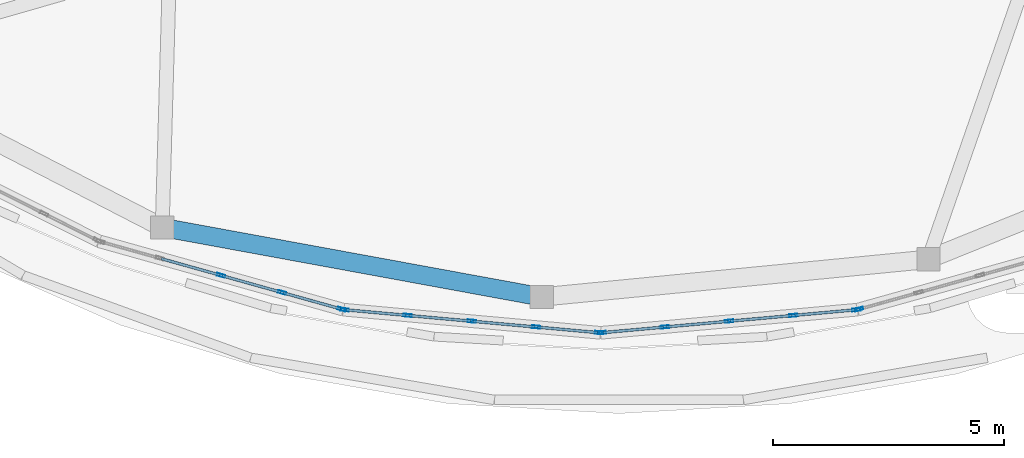
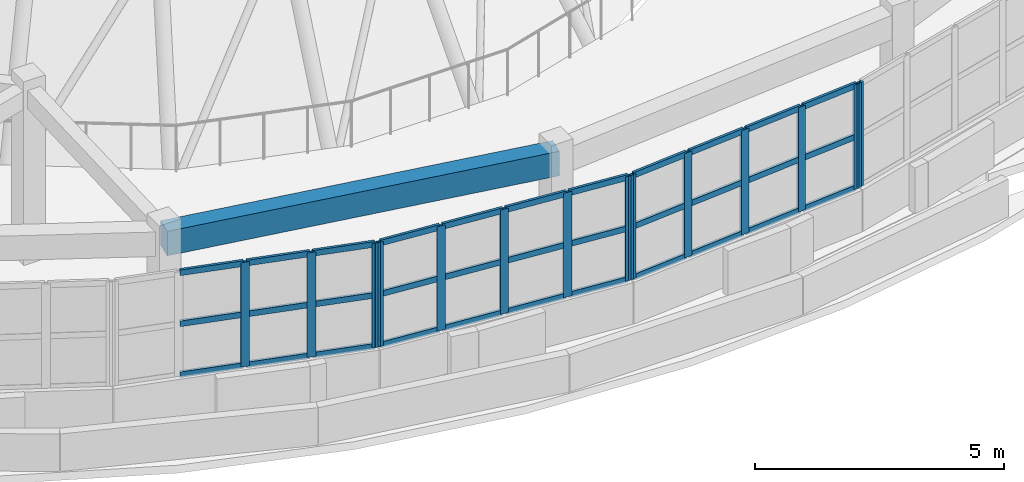
# One storey, part 5 of 38: 47 members, 1 beam, 4 elements without a shape of their own.
"""IFC4 building model written with IfcOpenShell, lengths in metres."""

from ifc_helpers import new_model, si_unit, direction, frame, origin, origin_2d, place, context, subcontext, project, spatial, rectangle, hollow_rectangle, extrude, material, layer, layer_set, material_profile, profile_set, type_object, element, aggregate, save


model = new_model("IFC4")

# Units and contexts
model_context = context("Model", 3, precision=1e-05, world=origin(), true_north=direction((0.0, 1.0)))
body_context = subcontext(model_context, "Body", "Model", "MODEL_VIEW")
ifc_project = project(units=[si_unit("LENGTHUNIT", "METRE"), si_unit("AREAUNIT", "SQUARE_METRE"), si_unit("VOLUMEUNIT", "CUBIC_METRE"), si_unit("PLANEANGLEUNIT", "RADIAN"), si_unit("MASSUNIT", "GRAM", prefix="KILO")], contexts=[model_context])

# Site, building, storey
site_placement = place(None, origin())
site = spatial("IfcSite", under=ifc_project, at=site_placement, CompositionType="ELEMENT")
building_placement = place(site_placement, origin())
building = spatial("IfcBuilding", under=site, at=building_placement, Name="Pelvatis Terrace Science Centre", CompositionType="ELEMENT")
storey_placement = place(building_placement, frame((0.0, 0.0, 24.300048828125)))
storey = spatial("IfcBuildingStorey", under=building, at=storey_placement, Name="L05", CompositionType="ELEMENT", Elevation=24.300048828125)

# Beam
ifc_material_1 = material(Name="Concrete C35/45", Category="concrete")
ifc_material_profile_1 = material_profile(ifc_material_1, rectangle(XDim=0.39990234375, YDim=0.60009765625, at=origin_2d()), Name="RC-BM 400x600")
ifc_profile_set_1 = profile_set([ifc_material_profile_1], Name="Concrete C35/45")
beam_type = type_object("IfcBeamType", Name="BM-RC-400x600", PredefinedType="BEAM", material=ifc_profile_set_1)
beam_placement = place(storey_placement, frame((99.705078125, 67.434326171875, 3.9599609375), z_axis=(0.983601549943, -0.180355179991, 0.0), x_axis=(0.180355179991, 0.983601549943, 0.0)))
element("IfcBeam", 1, at=beam_placement, inside=storey, type_object=beam_type, Name="Beam BM-L05-3136", PredefinedType="BEAM", context=body_context, shape_type="SweptSolid", body=[
    extrude(rectangle(XDim=0.39990234375, YDim=0.60009765625, at=origin_2d()), origin(), (0.0, 0.0, 1.0), 8.3603515625),
])

# Curtain wall, members
ifc_material_2 = material(Name="Bronze-anodised aluminium and laminated glass", Category="aluminium")
ifc_layer = layer(ifc_material_2, 0.179931640625)
ifc_layer_set = layer_set([ifc_layer], Name="Bronze-anodised aluminium and laminated glass")
curtain_wall_type = type_object("IfcCurtainWallType", Name="CW-RIBBON-A", PredefinedType="NOTDEFINED", material=ifc_layer_set)
curtain_wall_1_placement = place(storey_placement, origin())
curtain_wall_1 = element("IfcCurtainWall", 2, at=curtain_wall_1_placement, inside=storey, type_object=curtain_wall_type, Name="Ribbon curtain wall CW-256 (L05)", PredefinedType="NOTDEFINED")
ifc_material_3 = material(Name="Bronze-anodised aluminium 6063-T6", Category="aluminium")
ifc_material_profile_2 = material_profile(ifc_material_3, hollow_rectangle(XDim=0.06005859375, YDim=0.179931640625, WallThickness=0.00390625, at=origin_2d()), Name="ALU-MUL 60x180")
ifc_profile_set_2 = profile_set([ifc_material_profile_2], Name="Bronze-anodised aluminium 6063-T6")
member_type_1 = type_object("IfcMemberType", Name="CWM-60x180", PredefinedType="MULLION", material=ifc_profile_set_2)
member_1_placement = place(storey_placement, frame((100.978515625, 66.39404296875, 1.02001953125), z_axis=(0.0, 0.0, 1.0), x_axis=(0.269694685663, 0.962945884526, 0.0)))
member_1 = element("IfcMember", 3, at=member_1_placement, type_object=member_type_1, Name="CW-256 mullion 3", PredefinedType="MULLION", context=body_context, shape_type="SweptSolid", body=[
    extrude(hollow_rectangle(XDim=0.06005859375, YDim=0.179931640625, WallThickness=0.00390625, at=origin_2d()), origin(), (0.0, 0.0, 1.0), 2.559814453125),
])
member_2_placement = place(storey_placement, frame((102.30224609375, 66.0234375, 1.02001953125), z_axis=(0.0, 0.0, 1.0), x_axis=(0.269694685663, 0.962945884526, 0.0)))
member_2 = element("IfcMember", 4, at=member_2_placement, type_object=member_type_1, Name="CW-256 mullion 4", PredefinedType="MULLION", context=body_context, shape_type="SweptSolid", body=[
    extrude(hollow_rectangle(XDim=0.06005859375, YDim=0.179931640625, WallThickness=0.00390625, at=origin_2d()), origin(), (0.0, 0.0, 1.0), 2.559814453125),
])
member_3_placement = place(storey_placement, frame((103.596923828125, 65.660888671875, 1.02001953125), z_axis=(0.0, 0.0, 1.0), x_axis=(0.269694685663, 0.962945884526, 0.0)))
member_3 = element("IfcMember", 5, at=member_3_placement, type_object=member_type_1, Name="CW-256 mullion 5", PredefinedType="MULLION", context=body_context, shape_type="SweptSolid", body=[
    extrude(hollow_rectangle(XDim=0.06005859375, YDim=0.179931640625, WallThickness=0.00390625, at=origin_2d()), origin(), (0.0, 0.0, 1.0), 2.559814453125),
])

curtain_wall_2_placement = place(storey_placement, origin())
curtain_wall_2 = element("IfcCurtainWall", 6, at=curtain_wall_2_placement, inside=storey, type_object=curtain_wall_type, Name="Ribbon curtain wall CW-257 (L05)", PredefinedType="NOTDEFINED")
member_4_placement = place(storey_placement, frame((103.65576171875, 65.64990234375, 1.02001953125), z_axis=(0.0, 0.0, 1.0), x_axis=(0.089820432814, 0.995957975945, 0.0)))
member_4 = element("IfcMember", 7, at=member_4_placement, type_object=member_type_1, Name="CW-257 mullion 1", PredefinedType="MULLION", context=body_context, shape_type="SweptSolid", body=[
    extrude(hollow_rectangle(XDim=0.06005859375, YDim=0.179931640625, WallThickness=0.00390625, at=origin_2d()), origin(), (0.0, 0.0, 1.0), 2.559814453125),
])
member_5_placement = place(storey_placement, frame((105.01953125, 65.527099609375, 1.02001953125), z_axis=(0.0, 0.0, 1.0), x_axis=(0.089820432814, 0.995957975945, 0.0)))
member_5 = element("IfcMember", 8, at=member_5_placement, type_object=member_type_1, Name="CW-257 mullion 2", PredefinedType="MULLION", context=body_context, shape_type="SweptSolid", body=[
    extrude(hollow_rectangle(XDim=0.06005859375, YDim=0.179931640625, WallThickness=0.00390625, at=origin_2d()), origin(), (0.0, 0.0, 1.0), 2.559814453125),
])
member_6_placement = place(storey_placement, frame((106.412841796875, 65.4013671875, 1.02001953125), z_axis=(0.0, 0.0, 1.0), x_axis=(0.089820432814, 0.995957975945, 0.0)))
member_6 = element("IfcMember", 9, at=member_6_placement, type_object=member_type_1, Name="CW-257 mullion 3", PredefinedType="MULLION", context=body_context, shape_type="SweptSolid", body=[
    extrude(hollow_rectangle(XDim=0.06005859375, YDim=0.179931640625, WallThickness=0.00390625, at=origin_2d()), origin(), (0.0, 0.0, 1.0), 2.559814453125),
])
member_7_placement = place(storey_placement, frame((107.806396484375, 65.275634765625, 1.02001953125), z_axis=(0.0, 0.0, 1.0), x_axis=(0.089820432814, 0.995957975945, 0.0)))
member_7 = element("IfcMember", 10, at=member_7_placement, type_object=member_type_1, Name="CW-257 mullion 4", PredefinedType="MULLION", context=body_context, shape_type="SweptSolid", body=[
    extrude(hollow_rectangle(XDim=0.06005859375, YDim=0.179931640625, WallThickness=0.00390625, at=origin_2d()), origin(), (0.0, 0.0, 1.0), 2.559814453125),
])
member_8_placement = place(storey_placement, frame((109.170166015625, 65.152587890625, 1.02001953125), z_axis=(0.0, 0.0, 1.0), x_axis=(0.089820432814, 0.995957975945, 0.0)))
member_8 = element("IfcMember", 11, at=member_8_placement, type_object=member_type_1, Name="CW-257 mullion 5", PredefinedType="MULLION", context=body_context, shape_type="SweptSolid", body=[
    extrude(hollow_rectangle(XDim=0.06005859375, YDim=0.179931640625, WallThickness=0.00390625, at=origin_2d()), origin(), (0.0, 0.0, 1.0), 2.559814453125),
])

curtain_wall_3_placement = place(storey_placement, origin())
curtain_wall_3 = element("IfcCurtainWall", 12, at=curtain_wall_3_placement, inside=storey, type_object=curtain_wall_type, Name="Ribbon curtain wall CW-258 (L05)", PredefinedType="NOTDEFINED")
member_9_placement = place(storey_placement, frame((109.22998046875, 65.152587890625, 1.02001953125), z_axis=(0.0, 0.0, 1.0), x_axis=(-0.089820432814, 0.995957975945, 0.0)))
member_9 = element("IfcMember", 13, at=member_9_placement, type_object=member_type_1, Name="CW-258 mullion 1", PredefinedType="MULLION", context=body_context, shape_type="SweptSolid", body=[
    extrude(hollow_rectangle(XDim=0.06005859375, YDim=0.179931640625, WallThickness=0.00390625, at=origin_2d()), origin(), (0.0, 0.0, 1.0), 2.559814453125),
])
member_10_placement = place(storey_placement, frame((110.593505859375, 65.275634765625, 1.02001953125), z_axis=(0.0, 0.0, 1.0), x_axis=(-0.089820432814, 0.995957975945, 0.0)))
member_10 = element("IfcMember", 14, at=member_10_placement, type_object=member_type_1, Name="CW-258 mullion 2", PredefinedType="MULLION", context=body_context, shape_type="SweptSolid", body=[
    extrude(hollow_rectangle(XDim=0.06005859375, YDim=0.179931640625, WallThickness=0.00390625, at=origin_2d()), origin(), (0.0, 0.0, 1.0), 2.559814453125),
])
member_11_placement = place(storey_placement, frame((111.987060546875, 65.4013671875, 1.02001953125), z_axis=(0.0, 0.0, 1.0), x_axis=(-0.089820432814, 0.995957975945, 0.0)))
member_11 = element("IfcMember", 15, at=member_11_placement, type_object=member_type_1, Name="CW-258 mullion 3", PredefinedType="MULLION", context=body_context, shape_type="SweptSolid", body=[
    extrude(hollow_rectangle(XDim=0.06005859375, YDim=0.179931640625, WallThickness=0.00390625, at=origin_2d()), origin(), (0.0, 0.0, 1.0), 2.559814453125),
])
member_12_placement = place(storey_placement, frame((113.380615234375, 65.527099609375, 1.02001953125), z_axis=(0.0, 0.0, 1.0), x_axis=(-0.089820432814, 0.995957975945, 0.0)))
member_12 = element("IfcMember", 16, at=member_12_placement, type_object=member_type_1, Name="CW-258 mullion 4", PredefinedType="MULLION", context=body_context, shape_type="SweptSolid", body=[
    extrude(hollow_rectangle(XDim=0.06005859375, YDim=0.179931640625, WallThickness=0.00390625, at=origin_2d()), origin(), (0.0, 0.0, 1.0), 2.559814453125),
])
member_13_placement = place(storey_placement, frame((114.744140625, 65.64990234375, 1.02001953125), z_axis=(0.0, 0.0, 1.0), x_axis=(-0.089820432814, 0.995957975945, 0.0)))
member_13 = element("IfcMember", 17, at=member_13_placement, type_object=member_type_1, Name="CW-258 mullion 5", PredefinedType="MULLION", context=body_context, shape_type="SweptSolid", body=[
    extrude(hollow_rectangle(XDim=0.06005859375, YDim=0.179931640625, WallThickness=0.00390625, at=origin_2d()), origin(), (0.0, 0.0, 1.0), 2.559814453125),
])

# Curtain wall, member
curtain_wall_4_placement = place(storey_placement, origin())
curtain_wall_4 = element("IfcCurtainWall", 18, at=curtain_wall_4_placement, inside=storey, type_object=curtain_wall_type, Name="Ribbon curtain wall CW-259 (L05)", PredefinedType="NOTDEFINED")
member_14_placement = place(storey_placement, frame((114.802978515625, 65.660888671875, 1.02001953125), z_axis=(0.0, 0.0, 1.0), x_axis=(-0.269694685663, 0.962945884526, 0.0)))
member_14 = element("IfcMember", 19, at=member_14_placement, type_object=member_type_1, Name="CW-259 mullion 1", PredefinedType="MULLION", context=body_context, shape_type="SweptSolid", body=[
    extrude(hollow_rectangle(XDim=0.06005859375, YDim=0.179931640625, WallThickness=0.00390625, at=origin_2d()), origin(), (0.0, 0.0, 1.0), 2.559814453125),
])
aggregate(curtain_wall_4, [member_14])

# Member
ifc_material_4 = material(Name="Bronze-anodised aluminium 6063-T6", Category="aluminium")
ifc_material_profile_3 = material_profile(ifc_material_4, hollow_rectangle(XDim=0.06005859375, YDim=0.139892578125, WallThickness=0.00390625, at=origin_2d()), Name="ALU-TRN 60x140")
ifc_profile_set_3 = profile_set([ifc_material_profile_3], Name="Bronze-anodised aluminium 6063-T6")
member_type_2 = type_object("IfcMemberType", Name="CWT-60x140", PredefinedType="USERDEFINED", material=ifc_profile_set_3)
member_15_placement = place(storey_placement, frame((99.683837890625, 66.7568359375, 1.050048828125), z_axis=(0.962954374923, -0.269664368831, 0.0), x_axis=(0.269664368831, 0.962954374923, 0.0)))
member_15 = element("IfcMember", 20, at=member_15_placement, type_object=member_type_2, Name="CW-256 transom 2.1", ObjectType="TRANSOM", PredefinedType="USERDEFINED", context=body_context, shape_type="SweptSolid", body=[
    extrude(hollow_rectangle(XDim=0.06005859375, YDim=0.139892578125, WallThickness=0.00390625, at=origin_2d()), origin(), (0.0, 0.0, 1.0), 1.314453125),
])

member_16_placement = place(storey_placement, frame((99.683837890625, 66.7568359375, 2.300048828125), z_axis=(0.962954374923, -0.269664368831, 0.0), x_axis=(0.269664368831, 0.962954374923, 0.0)))
member_16 = element("IfcMember", 21, at=member_16_placement, type_object=member_type_2, Name="CW-256 transom 2.2", ObjectType="TRANSOM", PredefinedType="USERDEFINED", context=body_context, shape_type="SweptSolid", body=[
    extrude(hollow_rectangle(XDim=0.06005859375, YDim=0.139892578125, WallThickness=0.00390625, at=origin_2d()), origin(), (0.0, 0.0, 1.0), 1.314453125),
])

member_17_placement = place(storey_placement, frame((99.683837890625, 66.7568359375, 3.550048828125), z_axis=(0.962954374923, -0.269664368831, 0.0), x_axis=(0.269664368831, 0.962954374923, 0.0)))
member_17 = element("IfcMember", 22, at=member_17_placement, type_object=member_type_2, Name="CW-256 transom 2.3", ObjectType="TRANSOM", PredefinedType="USERDEFINED", context=body_context, shape_type="SweptSolid", body=[
    extrude(hollow_rectangle(XDim=0.06005859375, YDim=0.139892578125, WallThickness=0.00390625, at=origin_2d()), origin(), (0.0, 0.0, 1.0), 1.314453125),
])

member_18_placement = place(storey_placement, frame((101.00732421875, 66.385986328125, 1.050048828125), z_axis=(0.962967876596, -0.269616150563, 0.0), x_axis=(0.269616150563, 0.962967876596, 0.0)))
member_18 = element("IfcMember", 23, at=member_18_placement, type_object=member_type_2, Name="CW-256 transom 3.1", ObjectType="TRANSOM", PredefinedType="USERDEFINED", context=body_context, shape_type="SweptSolid", body=[
    extrude(hollow_rectangle(XDim=0.06005859375, YDim=0.139892578125, WallThickness=0.00390625, at=origin_2d()), origin(), (0.0, 0.0, 1.0), 1.314697265625),
])

member_19_placement = place(storey_placement, frame((101.00732421875, 66.385986328125, 2.300048828125), z_axis=(0.962967876596, -0.269616150563, 0.0), x_axis=(0.269616150563, 0.962967876596, 0.0)))
member_19 = element("IfcMember", 24, at=member_19_placement, type_object=member_type_2, Name="CW-256 transom 3.2", ObjectType="TRANSOM", PredefinedType="USERDEFINED", context=body_context, shape_type="SweptSolid", body=[
    extrude(hollow_rectangle(XDim=0.06005859375, YDim=0.139892578125, WallThickness=0.00390625, at=origin_2d()), origin(), (0.0, 0.0, 1.0), 1.314697265625),
])

member_20_placement = place(storey_placement, frame((101.00732421875, 66.385986328125, 3.550048828125), z_axis=(0.962967876596, -0.269616150563, 0.0), x_axis=(0.269616150563, 0.962967876596, 0.0)))
member_20 = element("IfcMember", 25, at=member_20_placement, type_object=member_type_2, Name="CW-256 transom 3.3", ObjectType="TRANSOM", PredefinedType="USERDEFINED", context=body_context, shape_type="SweptSolid", body=[
    extrude(hollow_rectangle(XDim=0.06005859375, YDim=0.139892578125, WallThickness=0.00390625, at=origin_2d()), origin(), (0.0, 0.0, 1.0), 1.314697265625),
])

member_21_placement = place(storey_placement, frame((102.3310546875, 66.015380859375, 1.050048828125), z_axis=(0.96295217629, -0.269672219885, 0.0), x_axis=(0.269672219885, 0.96295217629, 0.0)))
member_21 = element("IfcMember", 26, at=member_21_placement, type_object=member_type_2, Name="CW-256 transom 4.1", ObjectType="TRANSOM", PredefinedType="USERDEFINED", context=body_context, shape_type="SweptSolid", body=[
    extrude(hollow_rectangle(XDim=0.06005859375, YDim=0.139892578125, WallThickness=0.00390625, at=origin_2d()), origin(), (0.0, 0.0, 1.0), 1.28466796875),
])

member_22_placement = place(storey_placement, frame((102.3310546875, 66.015380859375, 2.300048828125), z_axis=(0.96295217629, -0.269672219885, 0.0), x_axis=(0.269672219885, 0.96295217629, 0.0)))
member_22 = element("IfcMember", 27, at=member_22_placement, type_object=member_type_2, Name="CW-256 transom 4.2", ObjectType="TRANSOM", PredefinedType="USERDEFINED", context=body_context, shape_type="SweptSolid", body=[
    extrude(hollow_rectangle(XDim=0.06005859375, YDim=0.139892578125, WallThickness=0.00390625, at=origin_2d()), origin(), (0.0, 0.0, 1.0), 1.28466796875),
])

member_23_placement = place(storey_placement, frame((102.3310546875, 66.015380859375, 3.550048828125), z_axis=(0.96295217629, -0.269672219885, 0.0), x_axis=(0.269672219885, 0.96295217629, 0.0)))
member_23 = element("IfcMember", 28, at=member_23_placement, type_object=member_type_2, Name="CW-256 transom 4.3", ObjectType="TRANSOM", PredefinedType="USERDEFINED", context=body_context, shape_type="SweptSolid", body=[
    extrude(hollow_rectangle(XDim=0.06005859375, YDim=0.139892578125, WallThickness=0.00390625, at=origin_2d()), origin(), (0.0, 0.0, 1.0), 1.28466796875),
])

aggregate(curtain_wall_1, [member_1, member_2, member_3, member_15, member_16, member_17, member_18, member_19, member_20, member_21, member_22, member_23])

member_24_placement = place(storey_placement, frame((103.685546875, 65.647216796875, 1.050048828125), z_axis=(0.99596927631, -0.089695042484, 0.0), x_axis=(0.089695042484, 0.99596927631, 0.0)))
member_24 = element("IfcMember", 29, at=member_24_placement, type_object=member_type_2, Name="CW-257 transom 1.1", ObjectType="TRANSOM", PredefinedType="USERDEFINED", context=body_context, shape_type="SweptSolid", body=[
    extrude(hollow_rectangle(XDim=0.06005859375, YDim=0.139892578125, WallThickness=0.00390625, at=origin_2d()), origin(), (0.0, 0.0, 1.0), 1.309326171875),
])

member_25_placement = place(storey_placement, frame((103.685546875, 65.647216796875, 2.300048828125), z_axis=(0.99596927631, -0.089695042484, 0.0), x_axis=(0.089695042484, 0.99596927631, 0.0)))
member_25 = element("IfcMember", 30, at=member_25_placement, type_object=member_type_2, Name="CW-257 transom 1.2", ObjectType="TRANSOM", PredefinedType="USERDEFINED", context=body_context, shape_type="SweptSolid", body=[
    extrude(hollow_rectangle(XDim=0.06005859375, YDim=0.139892578125, WallThickness=0.00390625, at=origin_2d()), origin(), (0.0, 0.0, 1.0), 1.309326171875),
])

member_26_placement = place(storey_placement, frame((103.685546875, 65.647216796875, 3.550048828125), z_axis=(0.99596927631, -0.089695042484, 0.0), x_axis=(0.089695042484, 0.99596927631, 0.0)))
member_26 = element("IfcMember", 31, at=member_26_placement, type_object=member_type_2, Name="CW-257 transom 1.3", ObjectType="TRANSOM", PredefinedType="USERDEFINED", context=body_context, shape_type="SweptSolid", body=[
    extrude(hollow_rectangle(XDim=0.06005859375, YDim=0.139892578125, WallThickness=0.00390625, at=origin_2d()), origin(), (0.0, 0.0, 1.0), 1.309326171875),
])

member_27_placement = place(storey_placement, frame((105.04931640625, 65.5244140625, 1.050048828125), z_axis=(0.995952762783, -0.089878219303, 0.0), x_axis=(0.089878219303, 0.995952762783, 0.0)))
member_27 = element("IfcMember", 32, at=member_27_placement, type_object=member_type_2, Name="CW-257 transom 2.1", ObjectType="TRANSOM", PredefinedType="USERDEFINED", context=body_context, shape_type="SweptSolid", body=[
    extrude(hollow_rectangle(XDim=0.06005859375, YDim=0.139892578125, WallThickness=0.00390625, at=origin_2d()), origin(), (0.0, 0.0, 1.0), 1.339111328125),
])

member_28_placement = place(storey_placement, frame((105.04931640625, 65.5244140625, 2.300048828125), z_axis=(0.995952762783, -0.089878219303, 0.0), x_axis=(0.089878219303, 0.995952762783, 0.0)))
member_28 = element("IfcMember", 33, at=member_28_placement, type_object=member_type_2, Name="CW-257 transom 2.2", ObjectType="TRANSOM", PredefinedType="USERDEFINED", context=body_context, shape_type="SweptSolid", body=[
    extrude(hollow_rectangle(XDim=0.06005859375, YDim=0.139892578125, WallThickness=0.00390625, at=origin_2d()), origin(), (0.0, 0.0, 1.0), 1.339111328125),
])

member_29_placement = place(storey_placement, frame((105.04931640625, 65.5244140625, 3.550048828125), z_axis=(0.995952762783, -0.089878219303, 0.0), x_axis=(0.089878219303, 0.995952762783, 0.0)))
member_29 = element("IfcMember", 34, at=member_29_placement, type_object=member_type_2, Name="CW-257 transom 2.3", ObjectType="TRANSOM", PredefinedType="USERDEFINED", context=body_context, shape_type="SweptSolid", body=[
    extrude(hollow_rectangle(XDim=0.06005859375, YDim=0.139892578125, WallThickness=0.00390625, at=origin_2d()), origin(), (0.0, 0.0, 1.0), 1.339111328125),
])

member_30_placement = place(storey_placement, frame((106.44287109375, 65.398681640625, 1.050048828125), z_axis=(0.995952762783, -0.089878219303, 0.0), x_axis=(0.089878219303, 0.995952762783, 0.0)))
member_30 = element("IfcMember", 35, at=member_30_placement, type_object=member_type_2, Name="CW-257 transom 3.1", ObjectType="TRANSOM", PredefinedType="USERDEFINED", context=body_context, shape_type="SweptSolid", body=[
    extrude(hollow_rectangle(XDim=0.06005859375, YDim=0.139892578125, WallThickness=0.00390625, at=origin_2d()), origin(), (0.0, 0.0, 1.0), 1.339111328125),
])

member_31_placement = place(storey_placement, frame((106.44287109375, 65.398681640625, 2.300048828125), z_axis=(0.995952762783, -0.089878219303, 0.0), x_axis=(0.089878219303, 0.995952762783, 0.0)))
member_31 = element("IfcMember", 36, at=member_31_placement, type_object=member_type_2, Name="CW-257 transom 3.2", ObjectType="TRANSOM", PredefinedType="USERDEFINED", context=body_context, shape_type="SweptSolid", body=[
    extrude(hollow_rectangle(XDim=0.06005859375, YDim=0.139892578125, WallThickness=0.00390625, at=origin_2d()), origin(), (0.0, 0.0, 1.0), 1.339111328125),
])

member_32_placement = place(storey_placement, frame((106.44287109375, 65.398681640625, 3.550048828125), z_axis=(0.995952762783, -0.089878219303, 0.0), x_axis=(0.089878219303, 0.995952762783, 0.0)))
member_32 = element("IfcMember", 37, at=member_32_placement, type_object=member_type_2, Name="CW-257 transom 3.3", ObjectType="TRANSOM", PredefinedType="USERDEFINED", context=body_context, shape_type="SweptSolid", body=[
    extrude(hollow_rectangle(XDim=0.06005859375, YDim=0.139892578125, WallThickness=0.00390625, at=origin_2d()), origin(), (0.0, 0.0, 1.0), 1.339111328125),
])

member_33_placement = place(storey_placement, frame((107.83642578125, 65.27294921875, 1.050048828125), z_axis=(0.995951094015, -0.089896709235, 0.0), x_axis=(0.089896709235, 0.995951094015, 0.0)))
member_33 = element("IfcMember", 38, at=member_33_placement, type_object=member_type_2, Name="CW-257 transom 4.1", ObjectType="TRANSOM", PredefinedType="USERDEFINED", context=body_context, shape_type="SweptSolid", body=[
    extrude(hollow_rectangle(XDim=0.06005859375, YDim=0.139892578125, WallThickness=0.00390625, at=origin_2d()), origin(), (0.0, 0.0, 1.0), 1.30908203125),
])

member_34_placement = place(storey_placement, frame((107.83642578125, 65.27294921875, 2.300048828125), z_axis=(0.995951094015, -0.089896709235, 0.0), x_axis=(0.089896709235, 0.995951094015, 0.0)))
member_34 = element("IfcMember", 39, at=member_34_placement, type_object=member_type_2, Name="CW-257 transom 4.2", ObjectType="TRANSOM", PredefinedType="USERDEFINED", context=body_context, shape_type="SweptSolid", body=[
    extrude(hollow_rectangle(XDim=0.06005859375, YDim=0.139892578125, WallThickness=0.00390625, at=origin_2d()), origin(), (0.0, 0.0, 1.0), 1.30908203125),
])

member_35_placement = place(storey_placement, frame((107.83642578125, 65.27294921875, 3.550048828125), z_axis=(0.995951094015, -0.089896709235, 0.0), x_axis=(0.089896709235, 0.995951094015, 0.0)))
member_35 = element("IfcMember", 40, at=member_35_placement, type_object=member_type_2, Name="CW-257 transom 4.3", ObjectType="TRANSOM", PredefinedType="USERDEFINED", context=body_context, shape_type="SweptSolid", body=[
    extrude(hollow_rectangle(XDim=0.06005859375, YDim=0.139892578125, WallThickness=0.00390625, at=origin_2d()), origin(), (0.0, 0.0, 1.0), 1.30908203125),
])

aggregate(curtain_wall_2, [member_4, member_5, member_6, member_7, member_8, member_24, member_25, member_26, member_27, member_28, member_29, member_30, member_31, member_32, member_33, member_34, member_35])

member_36_placement = place(storey_placement, frame((109.259765625, 65.1552734375, 1.050048828125), z_axis=(0.995952600841, 0.089880013781, 0.0), x_axis=(-0.089880013781, 0.995952600841, 0.0)))
member_36 = element("IfcMember", 41, at=member_36_placement, type_object=member_type_2, Name="CW-258 transom 1.1", ObjectType="TRANSOM", PredefinedType="USERDEFINED", context=body_context, shape_type="SweptSolid", body=[
    extrude(hollow_rectangle(XDim=0.06005859375, YDim=0.139892578125, WallThickness=0.00390625, at=origin_2d()), origin(), (0.0, 0.0, 1.0), 1.309326171875),
])

member_37_placement = place(storey_placement, frame((109.259765625, 65.1552734375, 2.300048828125), z_axis=(0.995952600841, 0.089880013781, 0.0), x_axis=(-0.089880013781, 0.995952600841, 0.0)))
member_37 = element("IfcMember", 42, at=member_37_placement, type_object=member_type_2, Name="CW-258 transom 1.2", ObjectType="TRANSOM", PredefinedType="USERDEFINED", context=body_context, shape_type="SweptSolid", body=[
    extrude(hollow_rectangle(XDim=0.06005859375, YDim=0.139892578125, WallThickness=0.00390625, at=origin_2d()), origin(), (0.0, 0.0, 1.0), 1.309326171875),
])

member_38_placement = place(storey_placement, frame((109.259765625, 65.1552734375, 3.550048828125), z_axis=(0.995952600841, 0.089880013781, 0.0), x_axis=(-0.089880013781, 0.995952600841, 0.0)))
member_38 = element("IfcMember", 43, at=member_38_placement, type_object=member_type_2, Name="CW-258 transom 1.3", ObjectType="TRANSOM", PredefinedType="USERDEFINED", context=body_context, shape_type="SweptSolid", body=[
    extrude(hollow_rectangle(XDim=0.06005859375, YDim=0.139892578125, WallThickness=0.00390625, at=origin_2d()), origin(), (0.0, 0.0, 1.0), 1.309326171875),
])

member_39_placement = place(storey_placement, frame((110.623291015625, 65.2783203125, 1.050048828125), z_axis=(0.995954235089, 0.089861902983, 0.0), x_axis=(-0.089861902983, 0.995954235089, 0.0)))
member_39 = element("IfcMember", 44, at=member_39_placement, type_object=member_type_2, Name="CW-258 transom 2.1", ObjectType="TRANSOM", PredefinedType="USERDEFINED", context=body_context, shape_type="SweptSolid", body=[
    extrude(hollow_rectangle(XDim=0.06005859375, YDim=0.139892578125, WallThickness=0.00390625, at=origin_2d()), origin(), (0.0, 0.0, 1.0), 1.33935546875),
])

member_40_placement = place(storey_placement, frame((110.623291015625, 65.2783203125, 2.300048828125), z_axis=(0.995954235089, 0.089861902983, 0.0), x_axis=(-0.089861902983, 0.995954235089, 0.0)))
member_40 = element("IfcMember", 45, at=member_40_placement, type_object=member_type_2, Name="CW-258 transom 2.2", ObjectType="TRANSOM", PredefinedType="USERDEFINED", context=body_context, shape_type="SweptSolid", body=[
    extrude(hollow_rectangle(XDim=0.06005859375, YDim=0.139892578125, WallThickness=0.00390625, at=origin_2d()), origin(), (0.0, 0.0, 1.0), 1.33935546875),
])

member_41_placement = place(storey_placement, frame((110.623291015625, 65.2783203125, 3.550048828125), z_axis=(0.995954235089, 0.089861902983, 0.0), x_axis=(-0.089861902983, 0.995954235089, 0.0)))
member_41 = element("IfcMember", 46, at=member_41_placement, type_object=member_type_2, Name="CW-258 transom 2.3", ObjectType="TRANSOM", PredefinedType="USERDEFINED", context=body_context, shape_type="SweptSolid", body=[
    extrude(hollow_rectangle(XDim=0.06005859375, YDim=0.139892578125, WallThickness=0.00390625, at=origin_2d()), origin(), (0.0, 0.0, 1.0), 1.33935546875),
])

member_42_placement = place(storey_placement, frame((112.016845703125, 65.404052734375, 1.050048828125), z_axis=(0.995952762783, 0.089878219303, 0.0), x_axis=(-0.089878219303, 0.995952762783, 0.0)))
member_42 = element("IfcMember", 47, at=member_42_placement, type_object=member_type_2, Name="CW-258 transom 3.1", ObjectType="TRANSOM", PredefinedType="USERDEFINED", context=body_context, shape_type="SweptSolid", body=[
    extrude(hollow_rectangle(XDim=0.06005859375, YDim=0.139892578125, WallThickness=0.00390625, at=origin_2d()), origin(), (0.0, 0.0, 1.0), 1.339111328125),
])

member_43_placement = place(storey_placement, frame((112.016845703125, 65.404052734375, 2.300048828125), z_axis=(0.995952762783, 0.089878219303, 0.0), x_axis=(-0.089878219303, 0.995952762783, 0.0)))
member_43 = element("IfcMember", 48, at=member_43_placement, type_object=member_type_2, Name="CW-258 transom 3.2", ObjectType="TRANSOM", PredefinedType="USERDEFINED", context=body_context, shape_type="SweptSolid", body=[
    extrude(hollow_rectangle(XDim=0.06005859375, YDim=0.139892578125, WallThickness=0.00390625, at=origin_2d()), origin(), (0.0, 0.0, 1.0), 1.339111328125),
])

member_44_placement = place(storey_placement, frame((112.016845703125, 65.404052734375, 3.550048828125), z_axis=(0.995952762783, 0.089878219303, 0.0), x_axis=(-0.089878219303, 0.995952762783, 0.0)))
member_44 = element("IfcMember", 49, at=member_44_placement, type_object=member_type_2, Name="CW-258 transom 3.3", ObjectType="TRANSOM", PredefinedType="USERDEFINED", context=body_context, shape_type="SweptSolid", body=[
    extrude(hollow_rectangle(XDim=0.06005859375, YDim=0.139892578125, WallThickness=0.00390625, at=origin_2d()), origin(), (0.0, 0.0, 1.0), 1.339111328125),
])

member_45_placement = place(storey_placement, frame((113.410400390625, 65.52978515625, 1.050048828125), z_axis=(0.99596927631, 0.089695042484, 0.0), x_axis=(-0.089695042484, 0.99596927631, 0.0)))
member_45 = element("IfcMember", 50, at=member_45_placement, type_object=member_type_2, Name="CW-258 transom 4.1", ObjectType="TRANSOM", PredefinedType="USERDEFINED", context=body_context, shape_type="SweptSolid", body=[
    extrude(hollow_rectangle(XDim=0.06005859375, YDim=0.139892578125, WallThickness=0.00390625, at=origin_2d()), origin(), (0.0, 0.0, 1.0), 1.309326171875),
])

member_46_placement = place(storey_placement, frame((113.410400390625, 65.52978515625, 2.300048828125), z_axis=(0.99596927631, 0.089695042484, 0.0), x_axis=(-0.089695042484, 0.99596927631, 0.0)))
member_46 = element("IfcMember", 51, at=member_46_placement, type_object=member_type_2, Name="CW-258 transom 4.2", ObjectType="TRANSOM", PredefinedType="USERDEFINED", context=body_context, shape_type="SweptSolid", body=[
    extrude(hollow_rectangle(XDim=0.06005859375, YDim=0.139892578125, WallThickness=0.00390625, at=origin_2d()), origin(), (0.0, 0.0, 1.0), 1.309326171875),
])

member_47_placement = place(storey_placement, frame((113.410400390625, 65.52978515625, 3.550048828125), z_axis=(0.99596927631, 0.089695042484, 0.0), x_axis=(-0.089695042484, 0.99596927631, 0.0)))
member_47 = element("IfcMember", 52, at=member_47_placement, type_object=member_type_2, Name="CW-258 transom 4.3", ObjectType="TRANSOM", PredefinedType="USERDEFINED", context=body_context, shape_type="SweptSolid", body=[
    extrude(hollow_rectangle(XDim=0.06005859375, YDim=0.139892578125, WallThickness=0.00390625, at=origin_2d()), origin(), (0.0, 0.0, 1.0), 1.309326171875),
])

aggregate(curtain_wall_3, [member_9, member_10, member_11, member_12, member_13, member_36, member_37, member_38, member_39, member_40, member_41, member_42, member_43, member_44, member_45, member_46, member_47])

save(model, "model.ifc")
